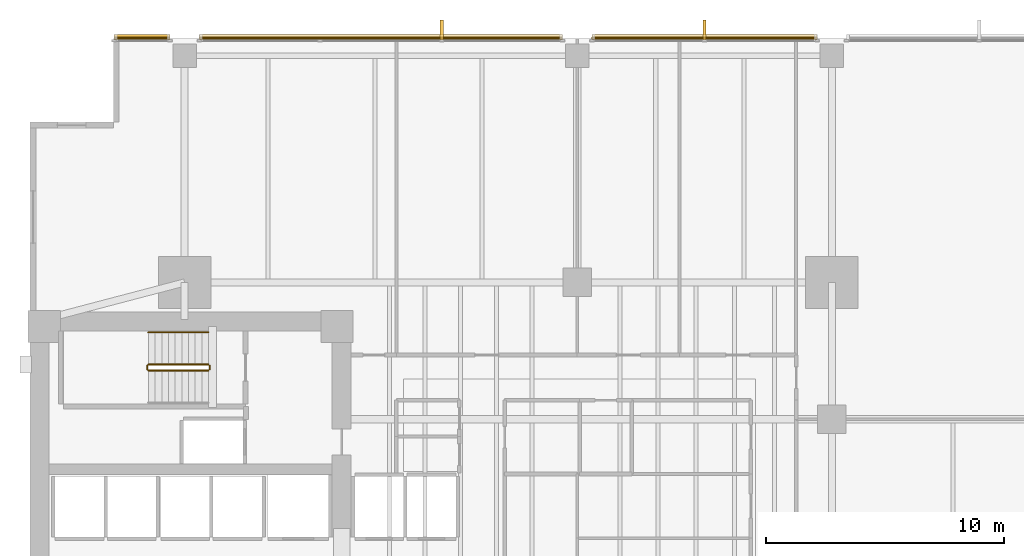
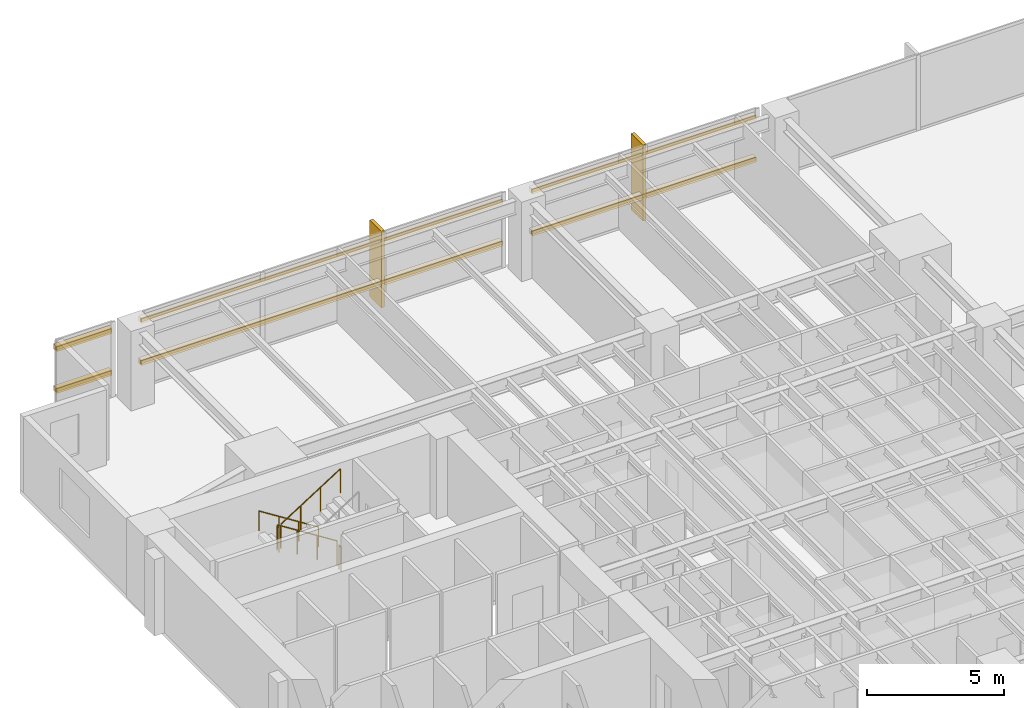
# One storey, part 14 of 15: 8 coverings, 6 shading devices, 5 railings.
"""IFC4 building model written with IfcOpenShell, lengths in metres."""

from ifc_helpers import new_model, si_unit, direction, frame, origin, origin_2d, place, context, subcontext, project, spatial, polyline, rectangle, circle, outline, extrude, material, layer, layer_set, material_profile, profile_set, type_object, element, save


model = new_model("IFC4")

# Units and contexts
model_context = context("Model", 3, precision=1e-05, world=origin(), true_north=direction((0.0, 1.0)))
body_context = subcontext(model_context, "Body", "Model", "MODEL_VIEW")
ifc_project = project(units=[si_unit("LENGTHUNIT", "METRE"), si_unit("AREAUNIT", "SQUARE_METRE"), si_unit("VOLUMEUNIT", "CUBIC_METRE"), si_unit("PLANEANGLEUNIT", "RADIAN"), si_unit("MASSUNIT", "GRAM", prefix="KILO")], contexts=[model_context])

# Site, building, storey
site_placement = place(None, origin())
site = spatial("IfcSite", under=ifc_project, at=site_placement, CompositionType="ELEMENT")
building_placement = place(site_placement, origin())
building = spatial("IfcBuilding", under=site, at=building_placement, Name="Kinhvarn Gate Tower", CompositionType="ELEMENT")
storey_placement = place(building_placement, frame((0.0, 0.0, 71.75)))
storey = spatial("IfcBuildingStorey", under=building, at=storey_placement, Name="L18", CompositionType="ELEMENT", Elevation=71.75)

# Coverings
ifc_material_1 = material(Name="Fired architectural terracotta", Category="masonry")
ifc_layer_1 = layer(ifc_material_1, 0.239990234375)
ifc_layer_set_1 = layer_set([ifc_layer_1], Name="Fired architectural terracotta")
covering_type_1 = type_object("IfcCoveringType", Name="COV-BAG-220", PredefinedType="CLADDING", material=ifc_layer_set_1)
for number, where, name in (
    (1, (0.0, 0.0, 0.93994140625), "Terracotta Horizontal Sunscreen Band TBG-220 (L18)"),
    (2, (0.0, 0.0, 2.81005859375), "Terracotta Horizontal Sunscreen Band TBG-220 (L18)"),
):
    element("IfcCovering", number, at=place(storey_placement, frame(where)), inside=storey, type_object=covering_type_1, Name=name, PredefinedType="CLADDING", context=body_context, shape_type="SweptSolid", body=[
        extrude(outline(polyline([(37.580078125, 47.93994140625), (28.1201171875, 47.93994140625), (28.1201171875, 48.179931640625), (37.580078125, 48.179931640625), (37.580078125, 47.93994140625)])), origin(), (0.0, 0.0, 1.0), 0.219970703125),
    ])
for number, where, name in (
    (3, (0.0, 0.0, 0.93994140625), "Terracotta Horizontal Sunscreen Band TBG-220 (L18)"),
    (4, (0.0, 0.0, 2.81005859375), "Terracotta Horizontal Sunscreen Band TBG-220 (L18)"),
):
    element("IfcCovering", number, at=place(storey_placement, frame(where)), inside=storey, type_object=covering_type_1, Name=name, PredefinedType="CLADDING", context=body_context, shape_type="SweptSolid", body=[
        extrude(outline(polyline([(26.8798828125, 47.93994140625), (11.6201171875, 47.93994140625), (11.6201171875, 48.179931640625), (26.8798828125, 48.179931640625), (26.8798828125, 47.93994140625)])), origin(), (0.0, 0.0, 1.0), 0.219970703125),
    ])
for number, where, name in (
    (5, (0.0, 0.0, 0.93994140625), "Terracotta Horizontal Sunscreen Band TBG-220 (L18)"),
    (6, (0.0, 0.0, 2.81005859375), "Terracotta Horizontal Sunscreen Band TBG-220 (L18)"),
):
    element("IfcCovering", number, at=place(storey_placement, frame(where)), inside=storey, type_object=covering_type_1, Name=name, PredefinedType="CLADDING", context=body_context, shape_type="SweptSolid", body=[
        extrude(outline(polyline([(10.3798828125, 47.93994140625), (8.0400390625, 47.93994140625), (8.0400390625, 48.179931640625), (10.3798828125, 48.179931640625), (10.3798828125, 47.93994140625)])), origin(), (0.0, 0.0, 1.0), 0.219970703125),
    ])
ifc_layer_2 = layer(ifc_material_1, 0.139892578125)
ifc_layer_set_2 = layer_set([ifc_layer_2], Name="Fired architectural terracotta")
covering_type_2 = type_object("IfcCoveringType", Name="COV-FIN-850", PredefinedType="CLADDING", material=ifc_layer_set_2)
covering_1_placement = place(storey_placement, frame((0.0, 0.0, -0.02001953125)))
element("IfcCovering", 7, at=covering_1_placement, inside=storey, type_object=covering_type_2, Name="Vertical Terracotta Expressive Fin TFN-850 (L18)", PredefinedType="CLADDING", context=body_context, shape_type="SweptSolid", body=[
    extrude(outline(polyline([(32.919921875, 47.929931640625), (32.780029296875, 47.929931640625), (32.780029296875, 48.780029296875), (32.919921875, 48.780029296875), (32.919921875, 47.929931640625)])), origin(), (0.0, 0.0, 1.0), 3.409912109375),
])
covering_2_placement = place(storey_placement, frame((0.0, 0.0, -0.02001953125)))
element("IfcCovering", 8, at=covering_2_placement, inside=storey, type_object=covering_type_2, Name="Vertical Terracotta Expressive Fin TFN-850 (L18)", PredefinedType="CLADDING", context=body_context, shape_type="SweptSolid", body=[
    extrude(outline(polyline([(21.876708984375, 47.929931640625), (21.73681640625, 47.929931640625), (21.73681640625, 48.780029296875), (21.876708984375, 48.780029296875), (21.876708984375, 47.929931640625)])), origin(), (0.0, 0.0, 1.0), 3.409912109375),
])

# Railings
ifc_material_2 = material(Name="Steel S355", Category="steel")
railing_type_1 = type_object("IfcRailingType", Name="RL-ST-GRD", PredefinedType="BALUSTRADE", material=ifc_material_2)
railing_1_placement = place(storey_placement, frame((12.0, 34.300048828125, 0.177490234375)))
element("IfcRailing", 9, at=railing_1_placement, inside=storey, type_object=railing_type_1, Name="L18 ST2 stair guard 1", PredefinedType="BALUSTRADE", context=body_context, shape_type="SweptSolid", body=[
    extrude(circle(Radius=0.02392578125, at=origin_2d()), frame((0.0, 0.0, 1.076171875), z_axis=(-0.84460694969, 0.0, 0.535386869969), x_axis=(0.0, -1.0, 0.0)), (0.0, 0.0, 1.0), 2.983642578125),
    extrude(circle(Radius=0.02099609375, at=origin_2d()), origin(), (0.0, 0.0, 1.0), 1.052001953125),
    extrude(circle(Radius=0.02099609375, at=origin_2d()), frame((-0.840087890625, 0.0, 0.532470703125)), (0.0, 0.0, 1.0), 1.052001953125),
    extrude(circle(Radius=0.02099609375, at=origin_2d()), frame((-1.679931640625, 0.0, 1.06494140625)), (0.0, 0.0, 1.0), 1.052001953125),
    extrude(circle(Radius=0.02099609375, at=origin_2d()), frame((-2.52001953125, 0.0, 1.597412109375)), (0.0, 0.0, 1.0), 1.052001953125),
])
railing_2_placement = place(storey_placement, frame((9.429931640625, 34.25, 1.77490234375)))
element("IfcRailing", 10, at=railing_2_placement, inside=storey, type_object=railing_type_1, Name="L18 ST2 stair guard 2", PredefinedType="BALUSTRADE", context=body_context, shape_type="SweptSolid", body=[
    extrude(circle(Radius=0.02392578125, at=origin_2d()), frame((0.0, 0.0, 1.076171875), z_axis=(0.0, -1.0, 0.0), x_axis=(1.0, 0.0, 0.0)), (0.0, 0.0, 1.0), 0.14990234375),
    extrude(circle(Radius=0.02099609375, at=origin_2d()), origin(), (0.0, 0.0, 1.0), 1.052001953125),
    extrude(circle(Radius=0.02099609375, at=origin_2d()), frame((0.0, -0.14990234375, 0.0)), (0.0, 0.0, 1.0), 1.052001953125),
])
railing_3_placement = place(storey_placement, frame((9.47998046875, 34.050048828125, 1.952392578125)))
element("IfcRailing", 11, at=railing_3_placement, inside=storey, type_object=railing_type_1, Name="L18 ST2 stair guard 3", PredefinedType="BALUSTRADE", context=body_context, shape_type="SweptSolid", body=[
    extrude(circle(Radius=0.02392578125, at=origin_2d()), frame((0.0, 0.0, 1.076171875), z_axis=(0.84456994832, 0.0, 0.535445237532), x_axis=(0.0, 1.0, 0.0)), (0.0, 0.0, 1.0), 2.98388671875),
    extrude(circle(Radius=0.02099609375, at=origin_2d()), origin(), (0.0, 0.0, 1.0), 1.052001953125),
    extrude(circle(Radius=0.02099609375, at=origin_2d()), frame((0.840087890625, 0.0, 0.532470703125)), (0.0, 0.0, 1.0), 1.052001953125),
    extrude(circle(Radius=0.02099609375, at=origin_2d()), frame((1.679931640625, 0.0, 1.065185546875)), (0.0, 0.0, 1.0), 1.052001953125),
    extrude(circle(Radius=0.02099609375, at=origin_2d()), frame((2.52001953125, 0.0, 1.59765625)), (0.0, 0.0, 1.0), 1.052001953125),
])
railing_4_placement = place(storey_placement, frame((12.050048828125, 34.25, 0.0)))
element("IfcRailing", 12, at=railing_4_placement, inside=storey, type_object=railing_type_1, Name="L18 ST2 stair guard 4", PredefinedType="BALUSTRADE", context=body_context, shape_type="SweptSolid", body=[
    extrude(circle(Radius=0.02392578125, at=origin_2d()), frame((0.0, 0.0, 1.076171875), z_axis=(0.0, -1.0, 0.0), x_axis=(1.0, 0.0, 0.0)), (0.0, 0.0, 1.0), 0.14990234375),
    extrude(circle(Radius=0.02099609375, at=origin_2d()), origin(), (0.0, 0.0, 1.0), 1.052001953125),
    extrude(circle(Radius=0.02099609375, at=origin_2d()), frame((0.0, -0.14990234375, 0.0)), (0.0, 0.0, 1.0), 1.052001953125),
])
railing_type_2 = type_object("IfcRailingType", Name="RL-ST-HND", PredefinedType="HANDRAIL", material=ifc_material_2)
railing_5_placement = place(storey_placement, frame((12.0, 35.64990234375, 0.177490234375)))
element("IfcRailing", 13, at=railing_5_placement, inside=storey, type_object=railing_type_2, Name="L18 ST2 stair handrail 1", PredefinedType="HANDRAIL", context=body_context, shape_type="SweptSolid", body=[
    extrude(circle(Radius=0.02392578125, at=origin_2d()), frame((0.0, 0.0, 0.8759765625), z_axis=(-0.84460694969, 0.0, 0.535386869969), x_axis=(0.0, -1.0, 0.0)), (0.0, 0.0, 1.0), 2.983642578125),
    extrude(circle(Radius=0.02099609375, at=origin_2d()), origin(), (0.0, 0.0, 1.0), 0.851806640625),
    extrude(circle(Radius=0.02099609375, at=origin_2d()), frame((-0.840087890625, 0.0, 0.532470703125)), (0.0, 0.0, 1.0), 0.851806640625),
    extrude(circle(Radius=0.02099609375, at=origin_2d()), frame((-1.679931640625, 0.0, 1.06494140625)), (0.0, 0.0, 1.0), 0.851806640625),
    extrude(circle(Radius=0.02099609375, at=origin_2d()), frame((-2.52001953125, 0.0, 1.597412109375)), (0.0, 0.0, 1.0), 0.851806640625),
])

# Shading devices
ifc_material_profile = material_profile(ifc_material_1, rectangle(XDim=0.06005859375, YDim=0.139892578125, at=origin_2d()), Name="TC 60x140")
ifc_profile_set = profile_set([ifc_material_profile], Name="Fired architectural terracotta")
shading_device_type = type_object("IfcShadingDeviceType", Name="SHD-BAG-180", PredefinedType="USERDEFINED", material=ifc_profile_set)
for number, where, z_axis, x_axis, name in (
    (14, (37.580078125, 48.014892578125, 1.050048828125), (-1.0, 0.0, 0.0), (0.0, -1.0, 0.0), "Fired Terracotta Baguette Screen Rod 60x140 mm (L18)"),
    (15, (37.580078125, 48.014892578125, 2.919921875), (-1.0, 0.0, 0.0), (0.0, -1.0, 0.0), "Fired Terracotta Baguette Screen Rod 60x140 mm (L18)"),
):
    element("IfcShadingDevice", number, at=place(storey_placement, frame(where, z_axis=z_axis, x_axis=x_axis)), inside=storey, type_object=shading_device_type, Name=name, ObjectType="BAGUETTE", PredefinedType="USERDEFINED", context=body_context, shape_type="SweptSolid", body=[
        extrude(rectangle(XDim=0.06005859375, YDim=0.139892578125, at=origin_2d()), origin(), (0.0, 0.0, 1.0), 9.4599609375),
    ])
for number, where, z_axis, x_axis, name in (
    (16, (26.8798828125, 48.014892578125, 1.050048828125), (-1.0, 0.0, 0.0), (0.0, -1.0, 0.0), "Fired Terracotta Baguette Screen Rod 60x140 mm (L18)"),
    (17, (26.8798828125, 48.014892578125, 2.919921875), (-1.0, 0.0, 0.0), (0.0, -1.0, 0.0), "Fired Terracotta Baguette Screen Rod 60x140 mm (L18)"),
):
    element("IfcShadingDevice", number, at=place(storey_placement, frame(where, z_axis=z_axis, x_axis=x_axis)), inside=storey, type_object=shading_device_type, Name=name, ObjectType="BAGUETTE", PredefinedType="USERDEFINED", context=body_context, shape_type="SweptSolid", body=[
        extrude(rectangle(XDim=0.06005859375, YDim=0.139892578125, at=origin_2d()), origin(), (0.0, 0.0, 1.0), 15.259765625),
    ])
for number, where, z_axis, x_axis, name in (
    (18, (10.3798828125, 48.014892578125, 1.050048828125), (-1.0, 0.0, 0.0), (0.0, -1.0, 0.0), "Fired Terracotta Baguette Screen Rod 60x140 mm (L18)"),
    (19, (10.3798828125, 48.014892578125, 2.919921875), (-1.0, 0.0, 0.0), (0.0, -1.0, 0.0), "Fired Terracotta Baguette Screen Rod 60x140 mm (L18)"),
):
    element("IfcShadingDevice", number, at=place(storey_placement, frame(where, z_axis=z_axis, x_axis=x_axis)), inside=storey, type_object=shading_device_type, Name=name, ObjectType="BAGUETTE", PredefinedType="USERDEFINED", context=body_context, shape_type="SweptSolid", body=[
        extrude(rectangle(XDim=0.06005859375, YDim=0.139892578125, at=origin_2d()), origin(), (0.0, 0.0, 1.0), 2.33984375),
    ])

save(model, "model.ifc")
